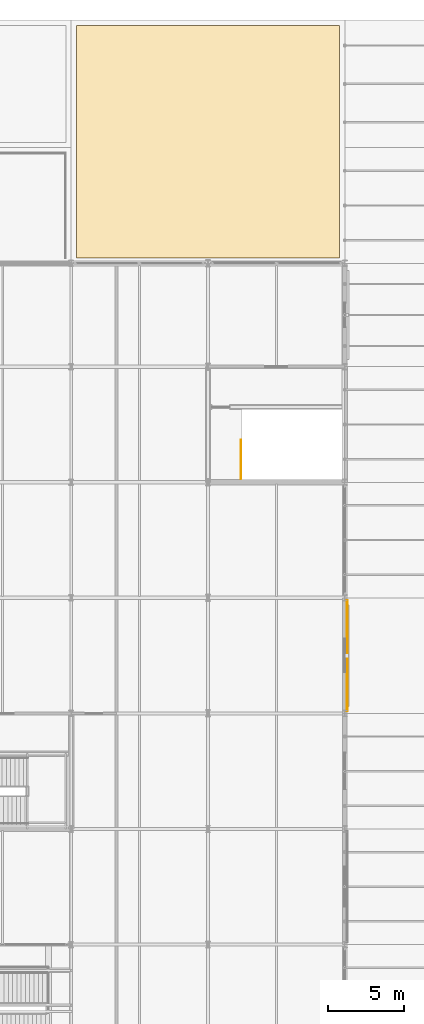
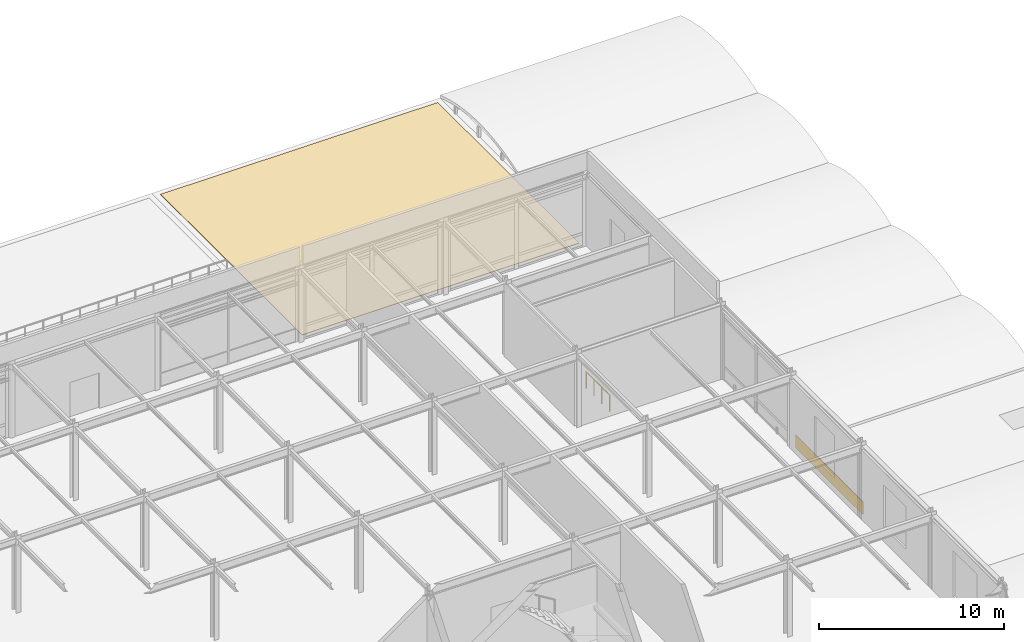
# One storey, part 113 of 113: 2 coverings, 1 railing.
"""IFC4 building model written with IfcOpenShell, lengths in metres."""

from ifc_helpers import new_model, si_unit, direction, frame, origin, origin_2d, place, context, subcontext, project, spatial, polyline, rectangle, circle, outline, extrude, material, layer, layer_set, type_object, element, save


model = new_model("IFC4")

# Units and contexts
model_context = context("Model", 3, precision=1e-05, world=origin(), true_north=direction((0.0, 1.0)))
body_context = subcontext(model_context, "Body", "Model", "MODEL_VIEW")
ifc_project = project(units=[si_unit("LENGTHUNIT", "METRE"), si_unit("AREAUNIT", "SQUARE_METRE"), si_unit("VOLUMEUNIT", "CUBIC_METRE"), si_unit("PLANEANGLEUNIT", "RADIAN"), si_unit("MASSUNIT", "GRAM", prefix="KILO")], contexts=[model_context])

# Site, building, storey
site_placement = place(None, origin())
site = spatial("IfcSite", under=ifc_project, at=site_placement, CompositionType="ELEMENT")
building_placement = place(site_placement, origin())
building = spatial("IfcBuilding", under=site, at=building_placement, Name="Shalkamar Park Central Library", CompositionType="ELEMENT")
storey_placement = place(building_placement, frame((0.0, 0.0, 5.39990234375)))
storey = spatial("IfcBuildingStorey", under=building, at=storey_placement, Name="L02", CompositionType="ELEMENT", Elevation=5.39990234375)

# Coverings
ifc_material_1 = material(Name="SBS modified bitumen roofing membrane", Category="other")
ifc_layer_1 = layer(ifc_material_1, 0.030029296875)
ifc_layer_set_1 = layer_set([ifc_layer_1], Name="ColdClimateRoofMembrane")
covering_type_1 = type_object("IfcCoveringType", Name="Cold Climate Roof Membrane", PredefinedType="ROOFING", material=ifc_layer_set_1)
covering_1_placement = place(storey_placement, origin())
element("IfcCovering", 1, at=covering_1_placement, inside=storey, type_object=covering_type_1, Name="SBS Roof Waterproofing Membrane RF-L01-NE", PredefinedType="ROOFING", context=body_context, shape_type="SweptSolid", body=[
    extrude(outline(polyline([(255.35009765625, 338.35009765625), (272.64990234375, 338.35009765625), (272.64990234375, 353.64990234375), (255.35009765625, 353.64990234375), (255.35009765625, 338.35009765625)])), origin(), (0.0, 0.0, 1.0), 0.030029296875),
])
ifc_material_2 = material(Name="Granite and travertine stone cladding", Category="masonry")
ifc_layer_2 = layer(ifc_material_2, 0.0400390625)
ifc_layer_set_2 = layer_set([ifc_layer_2], Name="GraniteTravertineCladdingPanel")
covering_type_2 = type_object("IfcCoveringType", Name="Granite Travertine Cladding Panel", PredefinedType="CLADDING", material=ifc_layer_set_2)
covering_2_placement = place(storey_placement, frame((273.160888671875, 312.199951171875, 0.0), z_axis=(0.0, 0.0, 1.0), x_axis=(1.0, 0.0, 0.0)))
element("IfcCovering", 2, at=covering_2_placement, inside=storey, type_object=covering_type_2, Name="Granite and Travertine Cladding Panel L02-017", PredefinedType="CLADDING", context=body_context, shape_type="SweptSolid", body=[
    extrude(rectangle(XDim=0.0400390625, YDim=7.2880859375, at=origin_2d()), origin(), (0.0, 0.0, 1.0), 0.85009765625),
])

# Railing
ifc_material_3 = material(Name="Steel S355", Category="steel")
railing_type = type_object("IfcRailingType", Name="Stair Guardrail 1100", PredefinedType="GUARDRAIL", material=ifc_material_3)
railing_placement = place(storey_placement, frame((266.1650390625, 323.8349609375, 0.0)))
element("IfcRailing", 3, at=railing_placement, inside=storey, type_object=railing_type, Name="Stair Arrival Well Guardrail ST-P6 (L02)", PredefinedType="GUARDRAIL", context=body_context, shape_type="SweptSolid", body=[
    extrude(circle(Radius=0.02392578125, at=origin_2d()), frame((0.0, 0.0, 1.076171875), z_axis=(0.0, 1.0, 0.0), x_axis=(-1.0, 0.0, 0.0)), (0.0, 0.0, 1.0), 2.5400390625),
    extrude(circle(Radius=0.02099609375, at=origin_2d()), origin(), (0.0, 0.0, 1.0), 1.052001953125),
    extrude(circle(Radius=0.02099609375, at=origin_2d()), frame((0.0, 0.8466796875, 0.0)), (0.0, 0.0, 1.0), 1.052001953125),
    extrude(circle(Radius=0.02099609375, at=origin_2d()), frame((0.0, 1.693359375, 0.0)), (0.0, 0.0, 1.0), 1.052001953125),
    extrude(circle(Radius=0.02099609375, at=origin_2d()), frame((0.0, 2.5400390625, 0.0)), (0.0, 0.0, 1.0), 1.052001953125),
])

save(model, "model.ifc")
